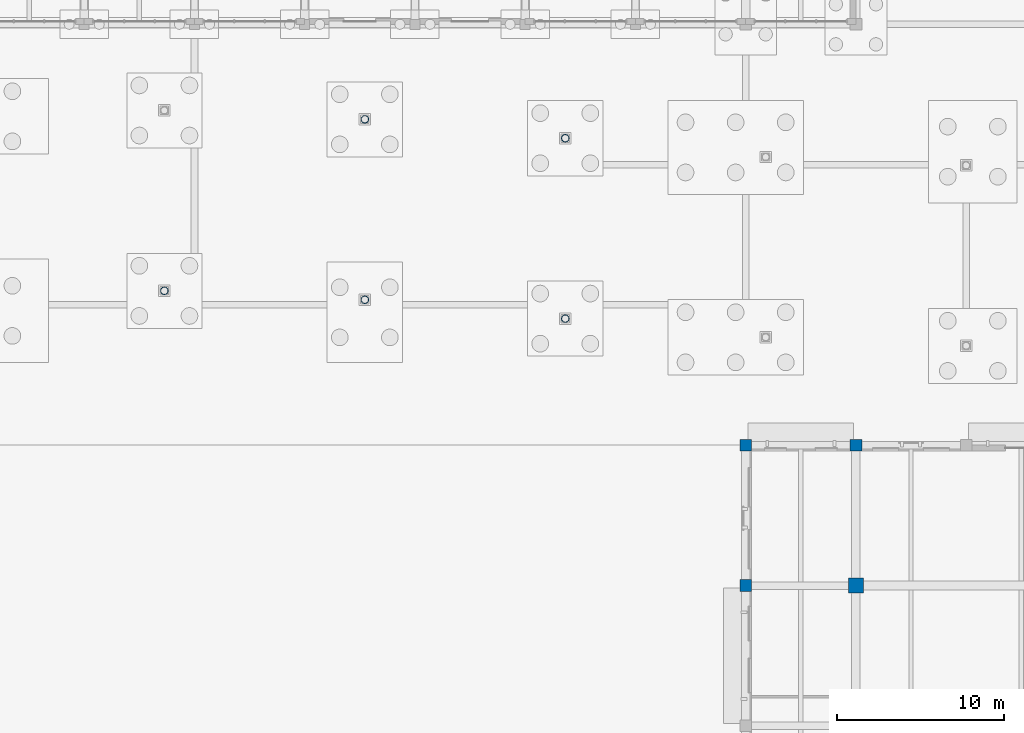
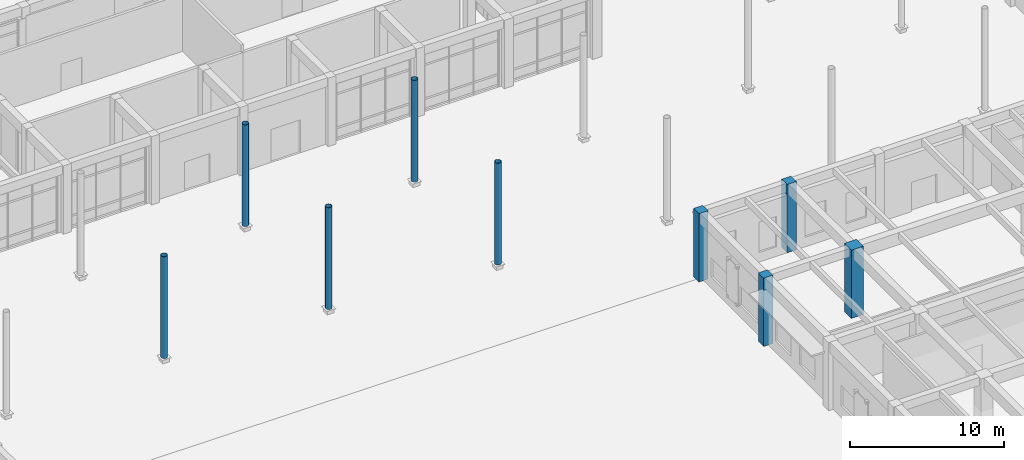
# One storey, part 13 of 82: 9 columns.
"""IFC4 building model written with IfcOpenShell, lengths in metres."""

from ifc_helpers import new_model, si_unit, direction, frame, origin, origin_2d, place, context, subcontext, project, spatial, rectangle, hollow_circle, extrude, material, material_profile, profile_set, type_object, element, save


model = new_model("IFC4")

# Units and contexts
model_context = context("Model", 3, precision=1e-05, world=origin(), true_north=direction((0.0, 1.0)))
body_context = subcontext(model_context, "Body", "Model", "MODEL_VIEW")
ifc_project = project(units=[si_unit("LENGTHUNIT", "METRE"), si_unit("AREAUNIT", "SQUARE_METRE"), si_unit("VOLUMEUNIT", "CUBIC_METRE"), si_unit("PLANEANGLEUNIT", "RADIAN"), si_unit("MASSUNIT", "GRAM", prefix="KILO")], contexts=[model_context])

# Site, building, storey
site_placement = place(None, origin())
site = spatial("IfcSite", under=ifc_project, at=site_placement, CompositionType="ELEMENT")
building_placement = place(site_placement, origin())
building = spatial("IfcBuilding", under=site, at=building_placement, Name="Kolvaren Faculty of Natural Sciences", CompositionType="ELEMENT")
storey_placement = place(building_placement, origin())
storey = spatial("IfcBuildingStorey", under=building, at=storey_placement, Name="L00", CompositionType="ELEMENT", Elevation=0.0)

# Columns
ifc_material_1 = material(Name="Concrete C40/50", Category="concrete")
ifc_material_profile_1 = material_profile(ifc_material_1, rectangle(XDim=0.89990234375, YDim=0.89990234375, at=origin_2d()), Name="RC COL 900x900")
ifc_profile_set_1 = profile_set([ifc_material_profile_1], Name="Concrete C40/50")
column_type_1 = type_object("IfcColumnType", Name="MegaColumn_900x900", PredefinedType="COLUMN", material=ifc_profile_set_1)
column_placement = place(storey_placement, frame((105.800048828125, 33.800048828125, 0.0), z_axis=(0.0, 0.0, 1.0), x_axis=(1.0, 0.0, 0.0)))
element("IfcColumn", 1, at=column_placement, inside=storey, type_object=column_type_1, Name="L00 column MC-1 at 17/E", PredefinedType="COLUMN", context=body_context, shape_type="SweptSolid", body=[
    extrude(rectangle(XDim=0.89990234375, YDim=0.89990234375, at=origin_2d()), origin(), (0.0, 0.0, 1.0), 5.39990234375),
])
ifc_material_2 = material(Name="Structural steel EN 10210-1 S355J2H (white architectural finish)", Category="steel")
ifc_material_profile_2 = material_profile(ifc_material_2, hollow_circle(Radius=0.228515625, WallThickness=0.01611328125, at=origin_2d()), Name="CHS 457x16")
ifc_profile_set_2 = profile_set([ifc_material_profile_2], Name="Structural steel EN 10210-1 S355J2H (white architectural finish)")
column_type_2 = type_object("IfcColumnType", Name="SteelTreeTrunk_CHS457", PredefinedType="COLUMN", material=ifc_profile_set_2)
for number, where, z_axis, x_axis, name in (
    (2, (64.39990234375, 51.444580078125, 0.35009765625), (0.0, 0.0, 1.0), (1.0, 0.0, 0.0), "Covered street white steel tree trunk TREE-03"),
    (3, (76.39990234375, 50.91064453125, 0.35009765625), (0.0, 0.0, 1.0), (1.0, 0.0, 0.0), "Covered street white steel tree trunk TREE-05"),
    (4, (76.39990234375, 61.710693359375, 0.35009765625), (0.0, 0.0, 1.0), (1.0, 0.0, 0.0), "Covered street white steel tree trunk TREE-06"),
    (5, (88.39990234375, 49.779296875, 0.35009765625), (0.0, 0.0, 1.0), (1.0, 0.0, 0.0), "Covered street white steel tree trunk TREE-07"),
    (6, (88.39990234375, 60.579345703125, 0.35009765625), (0.0, 0.0, 1.0), (1.0, 0.0, 0.0), "Covered street white steel tree trunk TREE-08"),
):
    element("IfcColumn", number, at=place(storey_placement, frame(where, z_axis=z_axis, x_axis=x_axis)), inside=storey, type_object=column_type_2, Name=name, PredefinedType="COLUMN", context=body_context, shape_type="SweptSolid", body=[
        extrude(hollow_circle(Radius=0.228515625, WallThickness=0.01611328125, at=origin_2d()), origin(), (0.0, 0.0, 1.0), 8.0498046875),
    ])
ifc_material_profile_3 = material_profile(ifc_material_1, rectangle(XDim=0.699951171875, YDim=0.699951171875, at=origin_2d()), Name="RC COL 700x700")
ifc_profile_set_3 = profile_set([ifc_material_profile_3], Name="Concrete C40/50")
column_type_3 = type_object("IfcColumnType", Name="WingColumn_700x700", PredefinedType="COLUMN", material=ifc_profile_set_3)
for number, where, z_axis, x_axis, name in (
    (7, (99.199951171875, 33.800048828125, 0.0), (0.0, 0.0, 1.0), (1.0, 0.0, 0.0), "L00 column WC-70 at 16/E"),
    (8, (99.199951171875, 42.199951171875, 0.0), (0.0, 0.0, 1.0), (1.0, 0.0, 0.0), "L00 column WC-70 at 16/F"),
    (9, (105.800048828125, 42.199951171875, 0.0), (0.0, 0.0, 1.0), (1.0, 0.0, 0.0), "L00 column WC-70 at 17/F"),
):
    element("IfcColumn", number, at=place(storey_placement, frame(where, z_axis=z_axis, x_axis=x_axis)), inside=storey, type_object=column_type_3, Name=name, PredefinedType="COLUMN", context=body_context, shape_type="SweptSolid", body=[
        extrude(rectangle(XDim=0.699951171875, YDim=0.699951171875, at=origin_2d()), origin(), (0.0, 0.0, 1.0), 5.39990234375),
    ])

save(model, "model.ifc")
